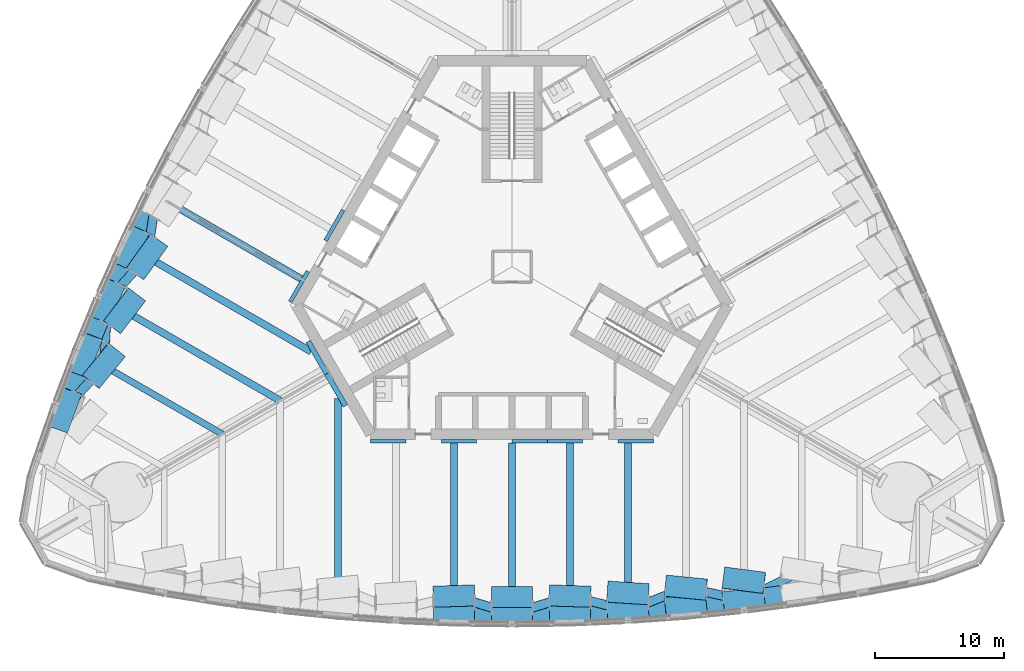
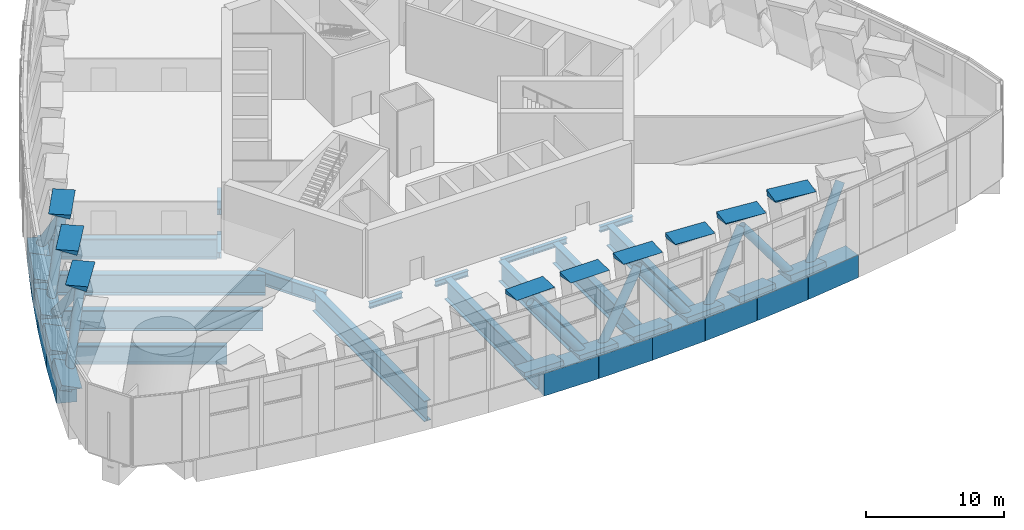
# One storey, part 3 of 28: 29 members, 28 beams.
"""IFC4 building model written with IfcOpenShell, lengths in metres."""

from ifc_helpers import new_model, si_unit, direction, frame, origin, origin_2d, place, context, subcontext, project, spatial, rectangle, hollow_circle, i_section, extrude, clip, halfspace, material, material_profile, profile_set, type_object, element, save


model = new_model("IFC4")

# Units and contexts
model_context = context("Model", 3, precision=1e-05, world=origin(), true_north=direction((0.0, 1.0)))
body_context = subcontext(model_context, "Body", "Model", "MODEL_VIEW")
ifc_project = project(units=[si_unit("LENGTHUNIT", "METRE"), si_unit("AREAUNIT", "SQUARE_METRE"), si_unit("VOLUMEUNIT", "CUBIC_METRE"), si_unit("PLANEANGLEUNIT", "RADIAN"), si_unit("MASSUNIT", "GRAM", prefix="KILO")], contexts=[model_context])

# Site, building, storey
site_placement = place(None, origin())
site = spatial("IfcSite", under=ifc_project, at=site_placement, CompositionType="ELEMENT")
building_placement = place(site_placement, origin())
building = spatial("IfcBuilding", under=site, at=building_placement, Name="Trefoil Bronze Tower", CompositionType="ELEMENT")
storey_placement = place(building_placement, frame((0.0, 0.0, 92.10009765625)))
storey = spatial("IfcBuildingStorey", under=building, at=storey_placement, Name="L21", CompositionType="ELEMENT", Elevation=92.10009765625)

# Members
ifc_material_1 = material(Name="Steel C355", Category="steel")
ifc_material_profile_1 = material_profile(ifc_material_1, hollow_circle(Radius=0.35546875, WallThickness=0.02490234375, at=origin_2d()), Name="CHS 711x25")
ifc_profile_set_1 = profile_set([ifc_material_profile_1], Name="Steel C355")
member_type_1 = type_object("IfcMemberType", Name="Belt truss diagonal CHS 711x25", PredefinedType="BRACE", material=ifc_profile_set_1)
for number, where, z_axis, x_axis, name in (
    (1, (0.0, -26.94873046875, -1.25), (-0.587064113794, 0.180113257569, 0.789249606109), (-0.293309424924, -0.956017563254, 0.0), "Belt truss diagonal F1.6 L21"),
    (2, (0.0, -26.94873046875, -1.25), (0.587064113794, 0.180113257569, 0.789249606109), (-0.293309424924, 0.956017563254, 0.0), "Belt truss diagonal F1.7 L21"),
):
    element("IfcMember", number, at=place(storey_placement, frame(where, z_axis=z_axis, x_axis=x_axis)), inside=storey, type_object=member_type_1, Name=name, PredefinedType="BRACE", context=body_context, shape_type="SweptSolid", body=[
        extrude(hollow_circle(Radius=0.35546875, WallThickness=0.02490234375, at=origin_2d()), origin(), (0.0, 0.0, 1.0), 7.665283203125),
    ])
member_1_placement = place(storey_placement, frame((9.0, -26.68603515625, -1.25), z_axis=(-0.590370828196, 0.146663846697, 0.793695156396), x_axis=(-0.241098240834, -0.970500715233, 0.0)))
element("IfcMember", 3, at=member_1_placement, inside=storey, type_object=member_type_1, Name="Belt truss diagonal F1.8 L21", PredefinedType="BRACE", context=body_context, shape_type="SweptSolid", body=[
    extrude(hollow_circle(Radius=0.35546875, WallThickness=0.02490234375, at=origin_2d()), origin(), (0.0, 0.0, 1.0), 7.622314453125),
])
member_2_placement = place(storey_placement, frame((9.0, -26.68603515625, -1.25), z_axis=(0.580979041771, 0.228899186271, 0.781068828944), x_axis=(-0.366564241631, 0.930392743285, 0.0)))
element("IfcMember", 4, at=member_2_placement, inside=storey, type_object=member_type_1, Name="Belt truss diagonal F1.9 L21", PredefinedType="BRACE", context=body_context, shape_type="SweptSolid", body=[
    extrude(hollow_circle(Radius=0.35546875, WallThickness=0.02490234375, at=origin_2d()), origin(), (0.0, 0.0, 1.0), 7.74560546875),
])
member_3_placement = place(storey_placement, frame((18.0, -25.895263671875, -1.25), z_axis=(-0.591824531446, 0.129172639432, 0.795649516559), x_axis=(-0.213241590222, -0.976999500614, 0.0)))
element("IfcMember", 5, at=member_3_placement, inside=storey, type_object=member_type_1, Name="Belt truss diagonal F1.10 L21", PredefinedType="BRACE", context=body_context, shape_type="SweptSolid", body=[
    extrude(hollow_circle(Radius=0.35546875, WallThickness=0.02490234375, at=origin_2d()), origin(), (0.0, 0.0, 1.0), 7.603515625),
])
member_4_placement = place(storey_placement, frame((18.0, -25.895263671875, -1.25), z_axis=(0.570797990867, 0.292088034389, 0.767381413503), x_axis=(-0.455539895874, 0.890215369036, 0.0)))
element("IfcMember", 6, at=member_4_placement, inside=storey, type_object=member_type_1, Name="Belt truss diagonal F1.11 L21", PredefinedType="BRACE", context=body_context, shape_type="SweptSolid", body=[
    extrude(hollow_circle(Radius=0.35546875, WallThickness=0.02490234375, at=origin_2d()), origin(), (0.0, 0.0, 1.0), 7.8837890625),
])
member_5_placement = place(storey_placement, frame((-27.61083984375, 5.548828125, -1.25), z_axis=(-0.092258647009, -0.617600249229, 0.781062272936), x_axis=(0.989025770374, -0.147743106557, 0.0)))
element("IfcMember", 7, at=member_5_placement, inside=storey, type_object=member_type_1, Name="Belt truss diagonal F3.9 L21", PredefinedType="BRACE", context=body_context, shape_type="SweptSolid", body=[
    extrude(hollow_circle(Radius=0.35546875, WallThickness=0.02490234375, at=origin_2d()), origin(), (0.0, 0.0, 1.0), 7.74560546875),
])
member_6_placement = place(storey_placement, frame((-31.42578125, -2.640869140625, -1.25), z_axis=(0.407752212872, 0.447952683029, 0.79566106268), x_axis=(-0.739510584202, 0.673144929308, 0.0)))
element("IfcMember", 8, at=member_6_placement, inside=storey, type_object=member_type_1, Name="Belt truss diagonal F3.10 L21", PredefinedType="BRACE", context=body_context, shape_type="SweptSolid", body=[
    extrude(hollow_circle(Radius=0.35546875, WallThickness=0.02490234375, at=origin_2d()), origin(), (0.0, 0.0, 1.0), 7.603515625),
])
member_7_placement = place(storey_placement, frame((-31.42578125, -2.640869140625, -1.25), z_axis=(-0.032485523471, -0.640358107083, 0.76738920077), x_axis=(0.998715699521, -0.050665091827, 0.0)))
element("IfcMember", 9, at=member_7_placement, inside=storey, type_object=member_type_1, Name="Belt truss diagonal F3.11 L21", PredefinedType="BRACE", context=body_context, shape_type="SweptSolid", body=[
    extrude(hollow_circle(Radius=0.35546875, WallThickness=0.02490234375, at=origin_2d()), origin(), (0.0, 0.0, 1.0), 7.883544921875),
])
member_8_placement = place(storey_placement, frame((-34.7763671875, -11.0986328125, -1.25), z_axis=(0.407027372094, 0.4484526431, 0.795750554673), x_axis=(-0.740479671866, 0.672078756957, 0.0)))
element("IfcMember", 10, at=member_8_placement, inside=storey, type_object=member_type_1, Name="Belt truss diagonal F3.12 L21", PredefinedType="BRACE", context=body_context, shape_type="SweptSolid", body=[
    extrude(hollow_circle(Radius=0.35546875, WallThickness=0.02490234375, at=origin_2d()), origin(), (0.0, 0.0, 1.0), 7.6025390625),
])
ifc_material_2 = material(Name="Concrete B80", Category="concrete")
ifc_material_profile_2 = material_profile(ifc_material_2, rectangle(XDim=3.199951171875, YDim=1.60009765625, at=origin_2d()), Name="RC 3200x1600")
ifc_profile_set_2 = profile_set([ifc_material_profile_2], Name="Concrete B80")
member_type_2 = type_object("IfcMemberType", Name="Column node RC 3200x1600", PredefinedType="MEMBER", material=ifc_profile_set_2)
member_9_placement = place(storey_placement, frame((0.0, -26.985595703125, -0.17041015625), z_axis=(0.0, 0.211586043708, 0.977359374083), x_axis=(1.0, 0.0, 0.0)))
element("IfcMember", 11, at=member_9_placement, inside=storey, type_object=member_type_2, Name="Column node TC3216 L21 bottom", PredefinedType="MEMBER", context=body_context, shape_type="Clipping", body=[
    clip(extrude(rectangle(XDim=3.199951171875, YDim=1.60009765625, at=origin_2d()), origin(), (0.0, 0.0, 1.0), 0.348388671875), halfspace(frame((0.0, 0.0, 0.17431640625), z_axis=(2.591181711716054e-17, -0.2115860437082868, 0.9773593740829803), x_axis=(0.0, 0.9773593740829803, 0.2115860437082868)), True)),
])
member_10_placement = place(storey_placement, frame((0.0, -25.61279296875, 6.170166015625), z_axis=(0.0, -0.211586043708, -0.977359374083), x_axis=(-1.0, 0.0, 0.0)))
element("IfcMember", 12, at=member_10_placement, inside=storey, type_object=member_type_2, Name="Column node TC3216 L21 top", PredefinedType="MEMBER", context=body_context, shape_type="Clipping", body=[
    clip(extrude(rectangle(XDim=3.199951171875, YDim=1.60009765625, at=origin_2d()), origin(), (0.0, 0.0, 1.0), 0.348388671875), halfspace(frame((0.0, 0.0, 0.17431640625), z_axis=(-2.591181711716054e-17, 0.2115860437082868, 0.9773593740829803), x_axis=(0.0, 0.9773593740829803, -0.2115860437082868)), True)),
])
member_11_placement = place(storey_placement, frame((4.5, -26.923095703125, -0.18310546875), z_axis=(0.0, 0.213755184569, 0.976887261187), x_axis=(0.999494845392, 0.031046793291, -0.006793427751)))
element("IfcMember", 13, at=member_11_placement, inside=storey, type_object=member_type_2, Name="Column node TC3216 L21 bottom", PredefinedType="MEMBER", context=body_context, shape_type="Clipping", body=[
    clip(extrude(rectangle(XDim=3.199951171875, YDim=1.60009765625, at=origin_2d()), origin(), (0.0, 0.0, 1.0), 0.37451171875), halfspace(frame((0.0, 0.0, 0.187255859375), z_axis=(-0.006793427751449534, -0.21364720515289495, 0.976887261187156), x_axis=(0.0, 0.9769098039636567, 0.213652135303371)), True)),
])
member_12_placement = place(storey_placement, frame((4.5, -25.52783203125, 6.182861328125), z_axis=(0.0, -0.214376970482, -0.976750999246), x_axis=(-0.999494845392, 0.031042462703, -0.006813188945)))
element("IfcMember", 14, at=member_12_placement, inside=storey, type_object=member_type_2, Name="Column node TC3216 L21 top", PredefinedType="MEMBER", context=body_context, shape_type="Clipping", body=[
    clip(extrude(rectangle(XDim=3.199951171875, YDim=1.60009765625, at=origin_2d()), origin(), (0.0, 0.0, 1.0), 0.374755859375), halfspace(frame((0.0, 0.0, 0.187255859375), z_axis=(0.00681318894545263, 0.21426867696708252, 0.9767509992455445), x_axis=(0.0, 0.9767736702026302, -0.2142736502673239)), True)),
])
member_13_placement = place(storey_placement, frame((9.0, -26.7314453125, -0.200439453125), z_axis=(0.0, 0.221646787207, 0.97512701825), x_axis=(0.997984339214, 0.061882229636, -0.014065857193)))
element("IfcMember", 15, at=member_13_placement, inside=storey, type_object=member_type_2, Name="Column node TC3216 L21 bottom", PredefinedType="MEMBER", context=body_context, shape_type="Clipping", body=[
    clip(extrude(rectangle(XDim=3.199951171875, YDim=1.60009765625, at=origin_2d()), origin(), (0.0, 0.0, 1.0), 0.410888671875), halfspace(frame((0.0, 0.0, 0.205322265625), z_axis=(-0.014065857193368062, -0.22120002247000287, 0.9751270182497694), x_axis=(0.0, 0.9752234961962412, 0.22122190774600076)), True)),
])
member_14_placement = place(storey_placement, frame((9.0, -25.27734375, 6.2001953125), z_axis=(0.0, -0.221646787207, -0.97512701825), x_axis=(-0.997984339214, 0.061882229636, -0.014065857193)))
element("IfcMember", 16, at=member_14_placement, inside=storey, type_object=member_type_2, Name="Column node TC3216 L21 top", PredefinedType="MEMBER", context=body_context, shape_type="Clipping", body=[
    clip(extrude(rectangle(XDim=3.199951171875, YDim=1.60009765625, at=origin_2d()), origin(), (0.0, 0.0, 1.0), 0.410888671875), halfspace(frame((0.0, 0.0, 0.205322265625), z_axis=(0.014065857193368062, 0.22120002247000287, 0.9751270182497694), x_axis=(0.0, 0.9752234961962412, -0.22122190774600076)), True)),
])
member_15_placement = place(storey_placement, frame((13.5, -26.41064453125, -0.222900390625), z_axis=(0.0, 0.23387665475, 0.972266275442), x_axis=(0.995484390526, 0.092292747966, -0.022200830881)))
element("IfcMember", 17, at=member_15_placement, inside=storey, type_object=member_type_2, Name="Column node TC3216 L21 bottom", PredefinedType="MEMBER", context=body_context, shape_type="Clipping", body=[
    clip(extrude(rectangle(XDim=3.199951171875, YDim=1.60009765625, at=origin_2d()), origin(), (0.0, 0.0, 1.0), 0.458251953125), halfspace(frame((0.0, 0.0, 0.229248046875), z_axis=(-0.02220083088062542, -0.23282055911235583, 0.9722662754424941), x_axis=(0.0, 0.9725059678401835, 0.23287795626728608)), True)),
])
member_16_placement = place(storey_placement, frame((13.5, -24.859375, 6.22265625), z_axis=(0.0, -0.23438016878, -0.972145018237), x_axis=(-0.995484390526, 0.09228123758, -0.022248627142)))
element("IfcMember", 18, at=member_16_placement, inside=storey, type_object=member_type_2, Name="Column node TC3216 L21 top", PredefinedType="MEMBER", context=body_context, shape_type="Clipping", body=[
    clip(extrude(rectangle(XDim=3.199951171875, YDim=1.60009765625, at=origin_2d()), origin(), (0.0, 0.0, 1.0), 0.458251953125), halfspace(frame((0.0, 0.0, 0.229248046875), z_axis=(0.02224862714246216, 0.2333217994697166, 0.9721450182367285), x_axis=(0.0, 0.9723857141762793, -0.2333795682271422)), True)),
])
member_17_placement = place(storey_placement, frame((18.0, -25.96044921875, -0.251220703125), z_axis=(0.0, 0.251713177021, 0.967801878751), x_axis=(0.99202489659, 0.121983756508, -0.031726451012)))
element("IfcMember", 19, at=member_17_placement, inside=storey, type_object=member_type_2, Name="Column node TC3216 L21 bottom", PredefinedType="MEMBER", context=body_context, shape_type="Clipping", body=[
    clip(extrude(rectangle(XDim=3.199951171875, YDim=1.60009765625, at=origin_2d()), origin(), (0.0, 0.0, 1.0), 0.518798828125), halfspace(frame((0.0, 0.0, 0.259521484375), z_axis=(-0.03172645101194013, -0.2497057384044261, 0.967801878751063), x_axis=(0.0, 0.9682893258208815, 0.24983150622237985)), True)),
])
member_18_placement = place(storey_placement, frame((18.0, -24.27197265625, 6.2509765625), z_axis=(0.0, -0.251272416994, -0.967916407784), x_axis=(-0.99202489659, 0.121998191985, -0.031670896704)))
element("IfcMember", 20, at=member_18_placement, inside=storey, type_object=member_type_2, Name="Column node TC3216 L21 top", PredefinedType="MEMBER", context=body_context, shape_type="Clipping", body=[
    clip(extrude(rectangle(XDim=3.199951171875, YDim=1.60009765625, at=origin_2d()), origin(), (0.0, 0.0, 1.0), 0.518798828125), halfspace(frame((0.0, 0.0, 0.25927734375), z_axis=(0.03167089670380934, 0.2492684934844656, 0.9679164077842475), x_axis=(0.0, 0.9684022054672045, -0.2493936014541157)), True)),
])
member_19_placement = place(storey_placement, frame((-4.5, -26.923095703125, -0.18310546875), z_axis=(0.0, 0.213755184569, 0.976887261187), x_axis=(0.999494845392, -0.031046793291, 0.006793427751)))
element("IfcMember", 21, at=member_19_placement, inside=storey, type_object=member_type_2, Name="Column node TC3216 L21 bottom", PredefinedType="MEMBER", context=body_context, shape_type="Clipping", body=[
    clip(extrude(rectangle(XDim=3.199951171875, YDim=1.60009765625, at=origin_2d()), origin(), (0.0, 0.0, 1.0), 0.37451171875), halfspace(frame((0.0, 0.0, 0.187255859375), z_axis=(0.006793427751449534, -0.21364720515289495, 0.976887261187156), x_axis=(0.0, 0.9769098039636567, 0.213652135303371)), True)),
])
member_20_placement = place(storey_placement, frame((-4.5, -25.52783203125, 6.182861328125), z_axis=(0.0, -0.214376970482, -0.976750999246), x_axis=(-0.999494845392, -0.031042462703, 0.006813188945)))
element("IfcMember", 22, at=member_20_placement, inside=storey, type_object=member_type_2, Name="Column node TC3216 L21 top", PredefinedType="MEMBER", context=body_context, shape_type="Clipping", body=[
    clip(extrude(rectangle(XDim=3.199951171875, YDim=1.60009765625, at=origin_2d()), origin(), (0.0, 0.0, 1.0), 0.374755859375), halfspace(frame((0.0, 0.0, 0.187255859375), z_axis=(-0.00681318894545263, 0.21426867696708252, 0.9767509992455445), x_axis=(0.0, 0.9767736702026302, -0.2142736502673239)), True)),
])
member_21_placement = place(storey_placement, frame((-29.622314453125, 1.513916015625, -0.222900390625), z_axis=(0.20296568373, -0.11666531427, 0.97221095225), x_axis=(-0.416081119945, -0.90905591434, -0.022222651256)))
element("IfcMember", 23, at=member_21_placement, inside=storey, type_object=member_type_2, Name="Column node TC3216 L21 bottom", PredefinedType="MEMBER", context=body_context, shape_type="Clipping", body=[
    clip(extrude(rectangle(XDim=3.199951171875, YDim=1.60009765625, at=origin_2d()), origin(), (0.0, 0.0, 1.0), 0.458251953125), halfspace(frame((0.0, 0.0, 0.229248046875), z_axis=(-0.02222265125561874, -0.23304938982294057, 0.9722109522497298), x_axis=(0.0, 0.9724511025575814, 0.23310695642675336)), True)),
])
member_22_placement = place(storey_placement, frame((-28.27880859375, 0.73828125, 6.22265625), z_axis=(-0.202953041845, 0.117190732824, -0.972150397287), x_axis=(0.577707991438, 0.815940297729, -0.022246509171)))
element("IfcMember", 24, at=member_22_placement, inside=storey, type_object=member_type_2, Name="Column node TC3216 L21 top", PredefinedType="MEMBER", context=body_context, shape_type="Clipping", body=[
    clip(extrude(rectangle(XDim=3.199951171875, YDim=1.60009765625, at=origin_2d()), origin(), (0.0, 0.0, 1.0), 0.458251953125), halfspace(frame((0.0, 0.0, 0.229248046875), z_axis=(0.022246509171194372, 0.23329958826251437, 0.9721503972874965), x_axis=(0.0, 0.9723910487173858, -0.23335734051943327)), True)),
])
member_23_placement = place(storey_placement, frame((-31.482421875, -2.608154296875, -0.251220703125), z_axis=(0.217838530347, -0.126092281065, 0.967805306532), x_axis=(-0.391393829065, -0.919676251885, -0.031724789814)))
element("IfcMember", 25, at=member_23_placement, inside=storey, type_object=member_type_2, Name="Column node TC3216 L21 bottom", PredefinedType="MEMBER", context=body_context, shape_type="Clipping", body=[
    clip(extrude(rectangle(XDim=3.199951171875, YDim=1.60009765625, at=origin_2d()), origin(), (0.0, 0.0, 1.0), 0.518798828125), halfspace(frame((0.0, 0.0, 0.259521484375), z_axis=(-0.031724789814395984, -0.24969266380748362, 0.9678053065322361), x_axis=(0.0, 0.9682927042456194, 0.2498184118609061)), True)),
])
member_24_placement = place(storey_placement, frame((-30.02001953125, -3.452392578125, 6.2509765625), z_axis=(-0.217851430786, 0.125629226825, -0.967862620144), x_axis=(0.601255024827, 0.79842826559, -0.031697000283)))
element("IfcMember", 26, at=member_24_placement, inside=storey, type_object=member_type_2, Name="Column node TC3216 L21 top", PredefinedType="MEMBER", context=body_context, shape_type="Clipping", body=[
    clip(extrude(rectangle(XDim=3.199951171875, YDim=1.60009765625, at=origin_2d()), origin(), (0.0, 0.0, 1.0), 0.518798828125), halfspace(frame((0.0, 0.0, 0.259521484375), z_axis=(0.03169700028319803, 0.249473943932226, 0.9678626201439683), x_axis=(0.0, 0.9683491925225559, -0.24959936165966823)), True)),
])
member_25_placement = place(storey_placement, frame((-33.230224609375, -6.795166015625, -0.285888671875), z_axis=(0.236675659982, -0.136828115927, 0.961905763921), x_axis=(-0.363874774267, -0.930462899007, -0.042824551641)))
element("IfcMember", 27, at=member_25_placement, inside=storey, type_object=member_type_2, Name="Column node TC3216 L21 bottom", PredefinedType="MEMBER", context=body_context, shape_type="Clipping", body=[
    clip(extrude(rectangle(XDim=3.199951171875, YDim=1.60009765625, at=origin_2d()), origin(), (0.0, 0.0, 1.0), 0.59423828125), halfspace(frame((0.0, 0.0, 0.297119140625), z_axis=(-0.04282455164087634, -0.2700062205078822, 0.9619057639206695), x_axis=(0.0, 0.9627890187829143, 0.27025414947976806)), True)),
])
member_26_placement = place(storey_placement, frame((-31.611328125, -7.72998046875, 6.28564453125), z_axis=(-0.237063482172, 0.136814799936, -0.961812152106), x_axis=(0.624174642962, 0.780107463044, -0.042876114394)))
element("IfcMember", 28, at=member_26_placement, inside=storey, type_object=member_type_2, Name="Column node TC3216 L21 top", PredefinedType="MEMBER", context=body_context, shape_type="Clipping", body=[
    clip(extrude(rectangle(XDim=3.199951171875, YDim=1.60009765625, at=origin_2d()), origin(), (0.0, 0.0, 1.0), 0.59423828125), halfspace(frame((0.0, 0.0, 0.297119140625), z_axis=(0.04287611439357722, 0.2703313205601256, 0.9618121521059753), x_axis=(0.0, 0.9626974519829242, -0.2705801469908411)), True)),
])
member_27_placement = place(storey_placement, frame((-34.865478515625, -11.04736328125, -0.326171875), z_axis=(0.260308621735, -0.150329121743, 0.953750793765), x_axis=(-0.339159643021, -0.939093112179, -0.05545144907)))
element("IfcMember", 29, at=member_27_placement, inside=storey, type_object=member_type_2, Name="Column node TC3216 L21 bottom", PredefinedType="MEMBER", context=body_context, shape_type="Clipping", body=[
    clip(extrude(rectangle(XDim=3.199951171875, YDim=1.60009765625, at=origin_2d()), origin(), (0.0, 0.0, 1.0), 0.683837890625), halfspace(frame((0.0, 0.0, 0.341796875), z_axis=(-0.055451449069781666, -0.29543960497809013, 0.9537507937645198), x_axis=(0.0, 0.9552205106288151, 0.29589487334867065)), True)),
])

# Beams
ifc_material_3 = material(Name="Steel C355", Category="steel")
ifc_material_profile_3 = material_profile(ifc_material_3, i_section(OverallWidth=0.300048828125, OverallDepth=0.5, WebThickness=0.014404296875, FlangeThickness=0.028076171875, FilletRadius=0.027099609375, at=origin_2d()), Name="HEB 500")
ifc_profile_set_3 = profile_set([ifc_material_profile_3], Name="Steel C355")
beam_type_1 = type_object("IfcBeamType", Name="Core seat beam HEB 500", PredefinedType="BEAM", material=ifc_profile_set_3)
for number, where, z_axis, x_axis, name in (
    (30, (-10.9697265625, -13.550048828125, -0.5), (1.0, 0.0, 0.0), (0.0, 1.0, 0.0), "Core seat beam F1/-2 L21"),
    (31, (-5.48486328125, -13.550048828125, -0.5), (1.0, 0.0, 0.0), (0.0, 1.0, 0.0), "Core seat beam F1/-1 L21"),
    (32, (0.0, -13.550048828125, -0.5), (1.0, 0.0, 0.0), (0.0, 1.0, 0.0), "Core seat beam F1/+0 L21"),
    (33, (2.742431640625, -13.550048828125, -0.5), (1.0, 0.0, 0.0), (0.0, 1.0, 0.0), "Core seat beam F1/+1 L21"),
    (34, (8.227294921875, -13.550048828125, -0.5), (1.0, 0.0, 0.0), (0.0, 1.0, 0.0), "Core seat beam F1/+2 L21"),
    (35, (-13.10595703125, 4.39990234375, -0.5), (-0.499969057507, -0.866043267704, 0.0), (0.866043267704, -0.499969057507, 0.0), "Core seat beam F3/+1 L21"),
    (36, (-15.84814453125, -0.35009765625, -0.5), (-0.500035825175, -0.866004719122, 0.0), (0.866004719122, -0.500035825175, 0.0), "Core seat beam F3/+2 L21"),
):
    element("IfcBeam", number, at=place(storey_placement, frame(where, z_axis=z_axis, x_axis=x_axis)), inside=storey, type_object=beam_type_1, Name=name, PredefinedType="BEAM", context=body_context, shape_type="SweptSolid", body=[
        extrude(i_section(OverallWidth=0.300048828125, OverallDepth=0.5, WebThickness=0.014404296875, FlangeThickness=0.028076171875, FilletRadius=0.027099609375, at=origin_2d()), origin(), (0.0, 0.0, 1.0), 2.742431640625),
    ])
ifc_material_4 = material(Name="Steel C355", Category="steel")
ifc_material_profile_4 = material_profile(ifc_material_4, i_section(OverallWidth=0.39990234375, OverallDepth=1.199951171875, WebThickness=0.02001953125, FlangeThickness=0.0400390625, FilletRadius=0.010009765625, at=origin_2d()), Name="WPG 1200")
ifc_profile_set_4 = profile_set([ifc_material_profile_4], Name="Steel C355")
beam_type_2 = type_object("IfcBeamType", Name="Core seat beam WPG 1200", PredefinedType="BEAM", material=ifc_profile_set_4)
for number, where, z_axis, x_axis, name in (
    (37, (-14.3759765625, -8.300048828125, -0.85009765625), (0.499995765644, -0.866027848477, 0.0), (0.866027848477, 0.499995765644, 0.0), "Core seat beam F1/-3 L21"),
    (38, (-15.8193359375, -5.800048828125, -0.85009765625), (0.499995765644, -0.866027848477, 0.0), (0.866027848477, 0.499995765644, 0.0), "Core seat beam F3/+3 L21"),
):
    element("IfcBeam", number, at=place(storey_placement, frame(where, z_axis=z_axis, x_axis=x_axis)), inside=storey, type_object=beam_type_2, Name=name, PredefinedType="BEAM", context=body_context, shape_type="SweptSolid", body=[
        extrude(i_section(OverallWidth=0.39990234375, OverallDepth=1.199951171875, WebThickness=0.02001953125, FlangeThickness=0.0400390625, FilletRadius=0.010009765625, at=origin_2d()), origin(), (0.0, 0.0, 1.0), 2.88671875),
    ])
ifc_material_5 = material(Name="Steel C355", Category="steel")
ifc_material_profile_5 = material_profile(ifc_material_5, i_section(OverallWidth=0.5, OverallDepth=1.60009765625, WebThickness=0.02587890625, FlangeThickness=0.050048828125, FilletRadius=0.011962890625, at=origin_2d()), Name="WPG 1600")
ifc_profile_set_5 = profile_set([ifc_material_profile_5], Name="Steel C355")
beam_type_3 = type_object("IfcBeamType", Name="Floor beam WPG 1600", PredefinedType="BEAM", material=ifc_profile_set_5)
beam_1_placement = place(storey_placement, frame((-33.159912109375, -6.8359375, -1.050048828125), z_axis=(0.866024070878, -0.500002308654, 0.0), x_axis=(0.500002308654, 0.866024070878, 0.0)))
element("IfcBeam", 39, at=beam_1_placement, inside=storey, type_object=beam_type_3, Name="Floor beam F3/+5 L21", PredefinedType="BEAM", context=body_context, shape_type="SweptSolid", body=[
    extrude(i_section(OverallWidth=0.5, OverallDepth=1.60009765625, WebThickness=0.02587890625, FlangeThickness=0.050048828125, FilletRadius=0.011962890625, at=origin_2d()), origin(), (0.0, 0.0, 1.0), 12.30908203125),
])
ifc_material_6 = material(Name="Steel C355", Category="steel")
ifc_material_profile_6 = material_profile(ifc_material_6, i_section(OverallWidth=0.550048828125, OverallDepth=1.800048828125, WebThickness=0.029052734375, FlangeThickness=0.054931640625, FilletRadius=0.013916015625, at=origin_2d()), Name="WPG 1800")
ifc_profile_set_6 = profile_set([ifc_material_profile_6], Name="Steel C355")
beam_type_4 = type_object("IfcBeamType", Name="Floor beam WPG 1800", PredefinedType="BEAM", material=ifc_profile_set_6)
beam_2_placement = place(storey_placement, frame((-13.5, -26.35693359375, -1.150146484375), z_axis=(0.0, 1.0, 0.0), x_axis=(-1.0, 0.0, 0.0)))
element("IfcBeam", 40, at=beam_2_placement, inside=storey, type_object=beam_type_4, Name="Floor beam F1/-3 L21", PredefinedType="BEAM", context=body_context, shape_type="SweptSolid", body=[
    extrude(i_section(OverallWidth=0.550048828125, OverallDepth=1.800048828125, WebThickness=0.029052734375, FlangeThickness=0.054931640625, FilletRadius=0.013916015625, at=origin_2d()), origin(), (0.0, 0.0, 1.0), 16.1396484375),
])
beam_3_placement = place(storey_placement, frame((-4.5, -26.883056640625, -1.150146484375), z_axis=(0.0, 1.0, 0.0), x_axis=(-1.0, 0.0, 0.0)))
element("IfcBeam", 41, at=beam_3_placement, inside=storey, type_object=beam_type_4, Name="Floor beam F1/-1 L21", PredefinedType="BEAM", context=body_context, shape_type="SweptSolid", body=[
    extrude(i_section(OverallWidth=0.550048828125, OverallDepth=1.800048828125, WebThickness=0.029052734375, FlangeThickness=0.054931640625, FilletRadius=0.013916015625, at=origin_2d()), origin(), (0.0, 0.0, 1.0), 13.18310546875),
])
beam_4_placement = place(storey_placement, frame((0.0, -26.94873046875, -1.150146484375), z_axis=(0.0, 1.0, 0.0), x_axis=(-1.0, 0.0, 0.0)))
element("IfcBeam", 42, at=beam_4_placement, inside=storey, type_object=beam_type_4, Name="Floor beam F1/+0 L21", PredefinedType="BEAM", context=body_context, shape_type="SweptSolid", body=[
    extrude(i_section(OverallWidth=0.550048828125, OverallDepth=1.800048828125, WebThickness=0.029052734375, FlangeThickness=0.054931640625, FilletRadius=0.013916015625, at=origin_2d()), origin(), (0.0, 0.0, 1.0), 13.248779296875),
])
beam_5_placement = place(storey_placement, frame((4.5, -26.883056640625, -1.150146484375), z_axis=(0.0, 1.0, 0.0), x_axis=(-1.0, 0.0, 0.0)))
element("IfcBeam", 43, at=beam_5_placement, inside=storey, type_object=beam_type_4, Name="Floor beam F1/+1 L21", PredefinedType="BEAM", context=body_context, shape_type="SweptSolid", body=[
    extrude(i_section(OverallWidth=0.550048828125, OverallDepth=1.800048828125, WebThickness=0.029052734375, FlangeThickness=0.054931640625, FilletRadius=0.013916015625, at=origin_2d()), origin(), (0.0, 0.0, 1.0), 13.18310546875),
])
for number, where, z_axis, x_axis, name in (
    (44, (9.0, -26.68603515625, -1.150146484375), (0.0, 1.0, 0.0), (-1.0, 0.0, 0.0), "Floor beam F1/+2 L21"),
    (45, (-27.61083984375, 5.548828125, -1.150146484375), (0.866022474361, -0.500005073876, 0.0), (0.500005073876, 0.866022474361, 0.0), "Floor beam F3/+2 L21"),
):
    element("IfcBeam", number, at=place(storey_placement, frame(where, z_axis=z_axis, x_axis=x_axis)), inside=storey, type_object=beam_type_4, Name=name, PredefinedType="BEAM", context=body_context, shape_type="SweptSolid", body=[
        extrude(i_section(OverallWidth=0.550048828125, OverallDepth=1.800048828125, WebThickness=0.029052734375, FlangeThickness=0.054931640625, FilletRadius=0.013916015625, at=origin_2d()), origin(), (0.0, 0.0, 1.0), 12.986083984375),
    ])
beam_6_placement = place(storey_placement, frame((-29.575927734375, 1.487060546875, -1.150146484375), z_axis=(0.866028401131, -0.499994808408, 0.0), x_axis=(0.499994808408, 0.866028401131, 0.0)))
element("IfcBeam", 46, at=beam_6_placement, inside=storey, type_object=beam_type_4, Name="Floor beam F3/+3 L21", PredefinedType="BEAM", context=body_context, shape_type="SweptSolid", body=[
    extrude(i_section(OverallWidth=0.550048828125, OverallDepth=1.800048828125, WebThickness=0.029052734375, FlangeThickness=0.054931640625, FilletRadius=0.013916015625, at=origin_2d()), origin(), (0.0, 0.0, 1.0), 16.139892578125),
])
beam_7_placement = place(storey_placement, frame((-31.42578125, -2.640869140625, -1.150146484375), z_axis=(0.866022989816, -0.500004181093, 0.0), x_axis=(0.500004181093, 0.866022989816, 0.0)))
element("IfcBeam", 47, at=beam_7_placement, inside=storey, type_object=beam_type_4, Name="Floor beam F3/+4 L21", PredefinedType="BEAM", context=body_context, shape_type="SweptSolid", body=[
    extrude(i_section(OverallWidth=0.550048828125, OverallDepth=1.800048828125, WebThickness=0.029052734375, FlangeThickness=0.054931640625, FilletRadius=0.013916015625, at=origin_2d()), origin(), (0.0, 0.0, 1.0), 15.502685546875),
])
ifc_material_7 = material(Name="Concrete B80", Category="concrete")
ifc_material_profile_7 = material_profile(ifc_material_7, rectangle(XDim=1.5, YDim=2.0, at=origin_2d()), Name="RC 1500x2000")
ifc_profile_set_7 = profile_set([ifc_material_profile_7], Name="Concrete B80")
beam_type_5 = type_object("IfcBeamType", Name="Spandrel beam RC 1500x2000", PredefinedType="SPANDREL", material=ifc_profile_set_7)
for number, where, z_axis, x_axis, name in (
    (48, (-4.5, -26.883056640625, -1.25), (0.999893521905, -0.014592630067, 0.0), (0.014592630067, 0.999893521905, 0.0), "Spandrel F1.8 L21"),
    (49, (0.0, -26.94873046875, -1.25), (0.999893521905, 0.014592630067, 0.0), (-0.014592630067, 0.999893521905, 0.0), "Spandrel F1.9 L21"),
):
    element("IfcBeam", number, at=place(storey_placement, frame(where, z_axis=z_axis, x_axis=x_axis)), inside=storey, type_object=beam_type_5, Name=name, PredefinedType="SPANDREL", context=body_context, shape_type="SweptSolid", body=[
        extrude(rectangle(XDim=1.5, YDim=2.0, at=origin_2d()), origin(), (0.0, 0.0, 1.0), 4.50048828125),
    ])
beam_8_placement = place(storey_placement, frame((4.5, -26.883056640625, -1.25), z_axis=(0.999042919826, 0.043740648671, 0.0), x_axis=(-0.043740648671, 0.999042919826, 0.0)))
element("IfcBeam", 50, at=beam_8_placement, inside=storey, type_object=beam_type_5, Name="Spandrel F1.10 L21", PredefinedType="SPANDREL", context=body_context, shape_type="SweptSolid", body=[
    extrude(rectangle(XDim=1.5, YDim=2.0, at=origin_2d()), origin(), (0.0, 0.0, 1.0), 4.50439453125),
])
beam_9_placement = place(storey_placement, frame((9.0, -26.68603515625, -1.25), z_axis=(0.997336412354, 0.072938882588, 0.0), x_axis=(-0.072938882588, 0.997336412354, 0.0)))
element("IfcBeam", 51, at=beam_9_placement, inside=storey, type_object=beam_type_5, Name="Spandrel F1.11 L21", PredefinedType="SPANDREL", context=body_context, shape_type="SweptSolid", body=[
    extrude(rectangle(XDim=1.5, YDim=2.0, at=origin_2d()), origin(), (0.0, 0.0, 1.0), 4.511962890625),
])
beam_10_placement = place(storey_placement, frame((13.5, -26.35693359375, -1.25), z_axis=(0.994778488621, 0.102057623805, 0.0), x_axis=(-0.102057623805, 0.994778488621, 0.0)))
element("IfcBeam", 52, at=beam_10_placement, inside=storey, type_object=beam_type_5, Name="Spandrel F1.12 L21", PredefinedType="SPANDREL", context=body_context, shape_type="SweptSolid", body=[
    extrude(rectangle(XDim=1.5, YDim=2.0, at=origin_2d()), origin(), (0.0, 0.0, 1.0), 4.523681640625),
])
beam_11_placement = place(storey_placement, frame((18.0, -25.895263671875, -1.25), z_axis=(0.991344474846, 0.131286450906, 0.0), x_axis=(-0.131286450906, 0.991344474846, 0.0)))
element("IfcBeam", 53, at=beam_11_placement, inside=storey, type_object=beam_type_5, Name="Spandrel F1.13 L21", PredefinedType="SPANDREL", context=body_context, shape_type="SweptSolid", body=[
    extrude(rectangle(XDim=1.5, YDim=2.0, at=origin_2d()), origin(), (0.0, 0.0, 1.0), 4.539306640625),
])
beam_12_placement = place(storey_placement, frame((-27.61083984375, 5.548828125, -1.25), z_axis=(-0.435510013583, -0.900183885697, 0.0), x_axis=(0.900183885697, -0.435510013583, 0.0)))
element("IfcBeam", 54, at=beam_12_placement, inside=storey, type_object=beam_type_5, Name="Spandrel F3.11 L21", PredefinedType="SPANDREL", context=body_context, shape_type="SweptSolid", body=[
    extrude(rectangle(XDim=1.5, YDim=2.0, at=origin_2d()), origin(), (0.0, 0.0, 1.0), 4.51220703125),
])
beam_13_placement = place(storey_placement, frame((-29.575927734375, 1.487060546875, -1.25), z_axis=(-0.408945873044, -0.912558640812, 0.0), x_axis=(0.912558640812, -0.408945873044, 0.0)))
element("IfcBeam", 55, at=beam_13_placement, inside=storey, type_object=beam_type_5, Name="Spandrel F3.12 L21", PredefinedType="SPANDREL", context=body_context, shape_type="SweptSolid", body=[
    extrude(rectangle(XDim=1.5, YDim=2.0, at=origin_2d()), origin(), (0.0, 0.0, 1.0), 4.5234375),
])
beam_14_placement = place(storey_placement, frame((-31.42578125, -2.640869140625, -1.25), z_axis=(-0.382020825144, -0.924153715113, 0.0), x_axis=(0.924153715113, -0.382020825144, 0.0)))
element("IfcBeam", 56, at=beam_14_placement, inside=storey, type_object=beam_type_5, Name="Spandrel F3.13 L21", PredefinedType="SPANDREL", context=body_context, shape_type="SweptSolid", body=[
    extrude(rectangle(XDim=1.5, YDim=2.0, at=origin_2d()), origin(), (0.0, 0.0, 1.0), 4.539306640625),
])
beam_15_placement = place(storey_placement, frame((-33.159912109375, -6.8359375, -1.25), z_axis=(-0.354571899767, -0.935028752443, 0.0), x_axis=(0.935028752443, -0.354571899767, 0.0)))
element("IfcBeam", 57, at=beam_15_placement, inside=storey, type_object=beam_type_5, Name="Spandrel F3.14 L21", PredefinedType="SPANDREL", context=body_context, shape_type="SweptSolid", body=[
    extrude(rectangle(XDim=1.5, YDim=2.0, at=origin_2d()), origin(), (0.0, 0.0, 1.0), 4.558837890625),
])

save(model, "model.ifc")
